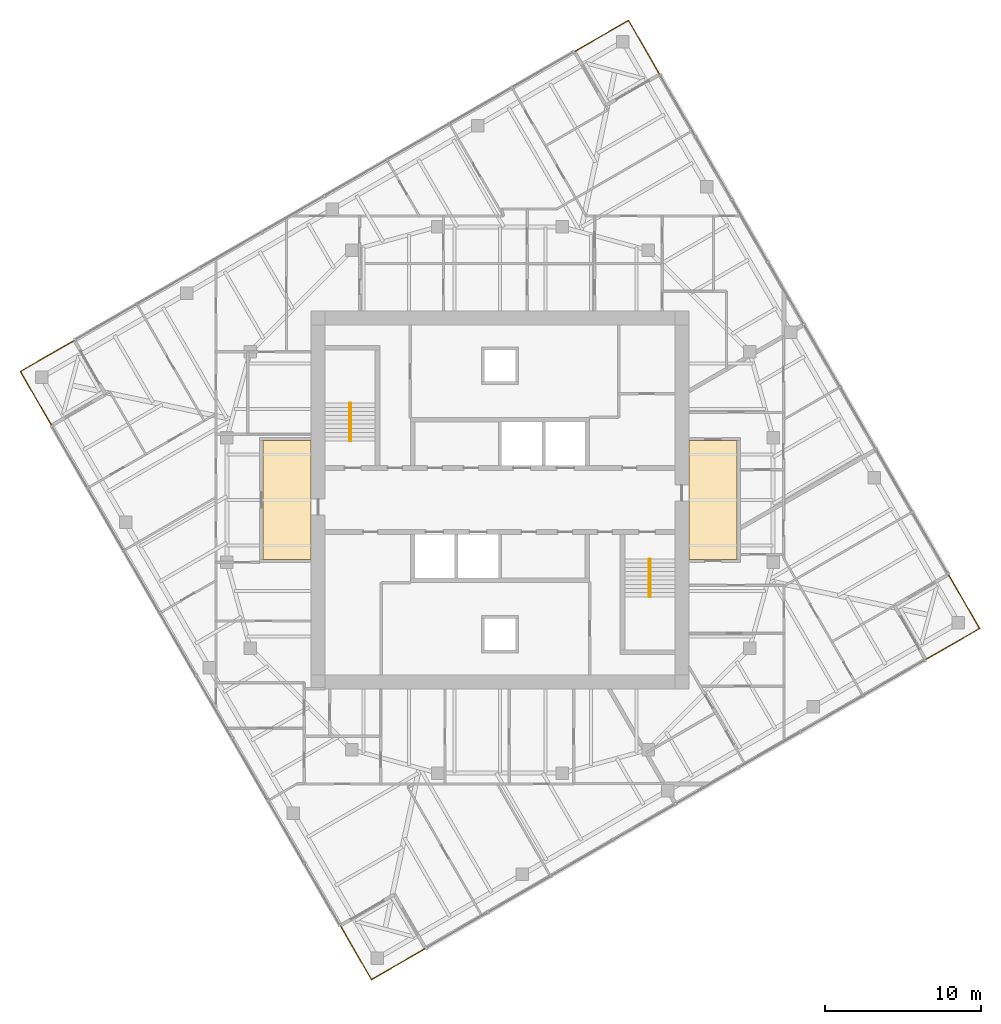
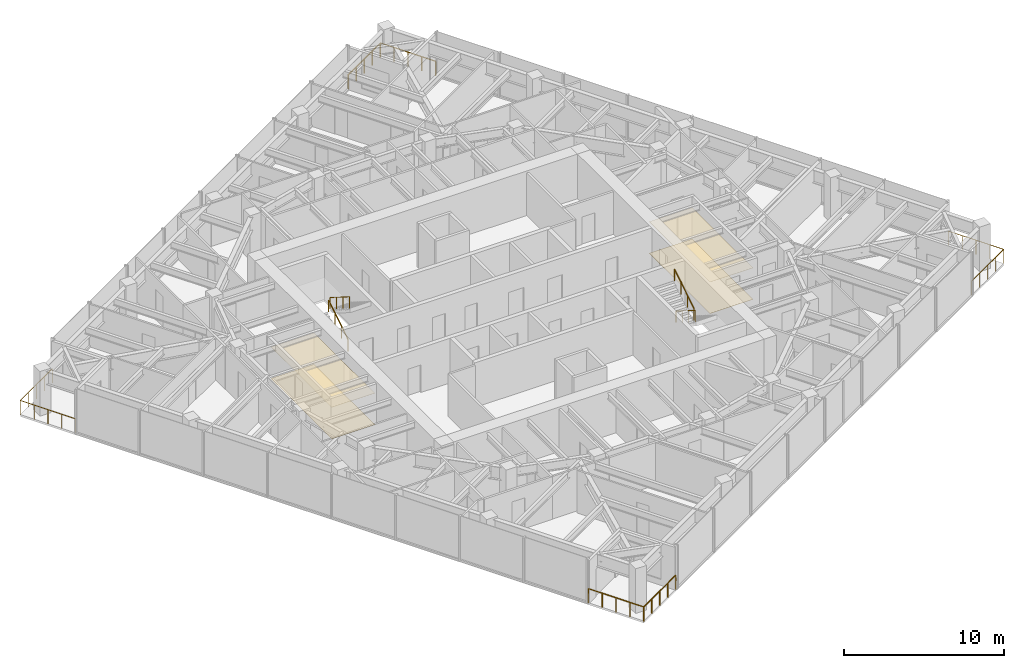
# One storey, part 13 of 13: 8 railings, 4 coverings, 2 elements without a shape of their own.
"""IFC4 building model written with IfcOpenShell, lengths in metres."""

from ifc_helpers import new_model, si_unit, direction, frame, origin, origin_2d, place, context, subcontext, project, spatial, polyline, circle, outline, extrude, material, layer, layer_set, type_object, element, aggregate, save


model = new_model("IFC4")

# Units and contexts
model_context = context("Model", 3, precision=1e-05, world=origin(), true_north=direction((0.0, 1.0)))
body_context = subcontext(model_context, "Body", "Model", "MODEL_VIEW")
ifc_project = project(units=[si_unit("LENGTHUNIT", "METRE"), si_unit("AREAUNIT", "SQUARE_METRE"), si_unit("VOLUMEUNIT", "CUBIC_METRE"), si_unit("PLANEANGLEUNIT", "RADIAN"), si_unit("MASSUNIT", "GRAM", prefix="KILO")], contexts=[model_context])

# Site, building, storey
site_placement = place(None, origin())
site = spatial("IfcSite", under=ifc_project, at=site_placement, CompositionType="ELEMENT")
building_placement = place(site_placement, origin())
building = spatial("IfcBuilding", under=site, at=building_placement, Name="Torsade Residences", CompositionType="ELEMENT")
storey_placement = place(building_placement, frame((0.0, 0.0, 228.60009765625)))
storey = spatial("IfcBuildingStorey", under=building, at=storey_placement, Name="L63", CompositionType="ELEMENT", Elevation=228.60009765625)

# Coverings
ifc_material_1 = material(Name="Nylon carpet tile on underlay", Category="textile")
ifc_layer_1 = layer(ifc_material_1, 0.010009765625)
ifc_layer_set_1 = layer_set([ifc_layer_1], Name="Nylon carpet tile on underlay")
covering_type_1 = type_object("IfcCoveringType", Name="CORRIDOR CARPET TILE 10", PredefinedType="FLOORING", material=ifc_layer_set_1)
covering_1_placement = place(storey_placement, origin())
element("IfcCovering", 1, at=covering_1_placement, inside=storey, type_object=covering_type_1, Name="Corridor carpet L63", PredefinedType="FLOORING", context=body_context, shape_type="SweptSolid", body=[
    extrude(outline(polyline([(55.199951171875, 26.199951171875), (55.199951171875, 33.800048828125), (52.10009765625, 33.800048828125), (52.10009765625, 26.199951171875), (55.199951171875, 26.199951171875)])), origin(), (0.0, 0.0, 1.0), 0.010009765625),
])
covering_2_placement = place(storey_placement, origin())
element("IfcCovering", 2, at=covering_2_placement, inside=storey, type_object=covering_type_1, Name="Corridor carpet west L63", PredefinedType="FLOORING", context=body_context, shape_type="SweptSolid", body=[
    extrude(outline(polyline([(27.89990234375, 26.199951171875), (27.89990234375, 33.800048828125), (24.800048828125, 33.800048828125), (24.800048828125, 26.199951171875), (27.89990234375, 26.199951171875)])), origin(), (0.0, 0.0, 1.0), 0.010009765625),
])
ifc_material_2 = material(Name="Plasterboard on suspended steel grid", Category="steel")
ifc_layer_2 = layer(ifc_material_2, 0.012939453125)
ifc_layer_set_2 = layer_set([ifc_layer_2], Name="Plasterboard on suspended steel grid")
covering_type_2 = type_object("IfcCoveringType", Name="CORRIDOR SUSPENDED CEILING 13", PredefinedType="CEILING", material=ifc_layer_set_2)
covering_3_placement = place(storey_placement, frame((0.0, 0.0, 2.39990234375)))
element("IfcCovering", 3, at=covering_3_placement, inside=storey, type_object=covering_type_2, Name="Corridor ceiling L63", PredefinedType="CEILING", context=body_context, shape_type="SweptSolid", body=[
    extrude(outline(polyline([(55.199951171875, 26.199951171875), (55.199951171875, 33.800048828125), (52.10009765625, 33.800048828125), (52.10009765625, 26.199951171875), (55.199951171875, 26.199951171875)])), origin(), (0.0, 0.0, 1.0), 0.012939453125),
])
covering_4_placement = place(storey_placement, frame((0.0, 0.0, 2.39990234375)))
element("IfcCovering", 4, at=covering_4_placement, inside=storey, type_object=covering_type_2, Name="Corridor ceiling west L63", PredefinedType="CEILING", context=body_context, shape_type="SweptSolid", body=[
    extrude(outline(polyline([(27.89990234375, 26.199951171875), (27.89990234375, 33.800048828125), (24.800048828125, 33.800048828125), (24.800048828125, 26.199951171875), (27.89990234375, 26.199951171875)])), origin(), (0.0, 0.0, 1.0), 0.012939453125),
])

# Stair, railings
ifc_material_3 = material(Name="Precast concrete 40 MPa", Category="concrete")
stair_type = type_object("IfcStairType", Name="HALF-TURN FIRE STAIR 1500x3400", PredefinedType="HALF_TURN_STAIR", material=ifc_material_3)
stair_1_placement = place(storey_placement, origin())
stair_1 = element("IfcStair", 5, at=stair_1_placement, inside=storey, type_object=stair_type, Name="Stair ST1 L63", PredefinedType="HALF_TURN_STAIR")
ifc_material_4 = material(Name="Steel handrail", Category="steel")
railing_type_1 = type_object("IfcRailingType", Name="STAIR HANDRAIL 900", PredefinedType="HANDRAIL", material=ifc_material_4)
railing_1_placement = place(storey_placement, frame((30.35009765625, 33.780029296875, 0.169921875)))
railing_1 = element("IfcRailing", 6, at=railing_1_placement, type_object=railing_type_1, Name="Handrail ST1 flight 1 L63", PredefinedType="HANDRAIL", context=body_context, shape_type="SweptSolid", body=[
    extrude(circle(Radius=0.02392578125, at=origin_2d()), frame((0.0, 0.0, 0.8759765625), z_axis=(0.0, 0.846221481393, 0.532831309544), x_axis=(-1.0, 0.0, 0.0)), (0.0, 0.0, 1.0), 2.87158203125),
    extrude(circle(Radius=0.02099609375, at=origin_2d()), origin(), (0.0, 0.0, 1.0), 0.851806640625),
    extrude(circle(Radius=0.02099609375, at=origin_2d()), frame((0.0, 0.81005859375, 0.510009765625)), (0.0, 0.0, 1.0), 0.851806640625),
    extrude(circle(Radius=0.02099609375, at=origin_2d()), frame((0.0, 1.619873046875, 1.02001953125)), (0.0, 0.0, 1.0), 0.851806640625),
    extrude(circle(Radius=0.02099609375, at=origin_2d()), frame((0.0, 2.429931640625, 1.530029296875)), (0.0, 0.0, 1.0), 0.851806640625),
])
railing_2_placement = place(storey_placement, frame((30.449951171875, 36.2099609375, 1.869873046875)))
railing_2 = element("IfcRailing", 7, at=railing_2_placement, type_object=railing_type_1, Name="Handrail ST1 flight 2 L63", PredefinedType="HANDRAIL", context=body_context, shape_type="SweptSolid", body=[
    extrude(circle(Radius=0.02392578125, at=origin_2d()), frame((0.0, 0.0, 0.8759765625), z_axis=(0.0, -0.846221481393, 0.532831309544), x_axis=(1.0, 0.0, 0.0)), (0.0, 0.0, 1.0), 2.87158203125),
    extrude(circle(Radius=0.02099609375, at=origin_2d()), origin(), (0.0, 0.0, 1.0), 0.851806640625),
    extrude(circle(Radius=0.02099609375, at=origin_2d()), frame((0.0, -0.81005859375, 0.510009765625)), (0.0, 0.0, 1.0), 0.851806640625),
    extrude(circle(Radius=0.02099609375, at=origin_2d()), frame((0.0, -1.619873046875, 1.02001953125)), (0.0, 0.0, 1.0), 0.851806640625),
    extrude(circle(Radius=0.02099609375, at=origin_2d()), frame((0.0, -2.429931640625, 1.530029296875)), (0.0, 0.0, 1.0), 0.851806640625),
])
aggregate(stair_1, [railing_1, railing_2])

stair_2_placement = place(storey_placement, origin())
stair_2 = element("IfcStair", 8, at=stair_2_placement, inside=storey, type_object=stair_type, Name="Stair ST2 L63", PredefinedType="HALF_TURN_STAIR")
railing_3_placement = place(storey_placement, frame((49.64990234375, 26.219970703125, 0.169921875)))
railing_3 = element("IfcRailing", 9, at=railing_3_placement, type_object=railing_type_1, Name="Handrail ST2 flight 1 L63", PredefinedType="HANDRAIL", context=body_context, shape_type="SweptSolid", body=[
    extrude(circle(Radius=0.02392578125, at=origin_2d()), frame((0.0, 0.0, 0.8759765625), z_axis=(0.0, -0.846221481393, 0.532831309544), x_axis=(1.0, 0.0, 0.0)), (0.0, 0.0, 1.0), 2.87158203125),
    extrude(circle(Radius=0.02099609375, at=origin_2d()), origin(), (0.0, 0.0, 1.0), 0.851806640625),
    extrude(circle(Radius=0.02099609375, at=origin_2d()), frame((0.0, -0.81005859375, 0.510009765625)), (0.0, 0.0, 1.0), 0.851806640625),
    extrude(circle(Radius=0.02099609375, at=origin_2d()), frame((0.0, -1.619873046875, 1.02001953125)), (0.0, 0.0, 1.0), 0.851806640625),
    extrude(circle(Radius=0.02099609375, at=origin_2d()), frame((0.0, -2.429931640625, 1.530029296875)), (0.0, 0.0, 1.0), 0.851806640625),
])
railing_4_placement = place(storey_placement, frame((49.550048828125, 23.7900390625, 1.869873046875)))
railing_4 = element("IfcRailing", 10, at=railing_4_placement, type_object=railing_type_1, Name="Handrail ST2 flight 2 L63", PredefinedType="HANDRAIL", context=body_context, shape_type="SweptSolid", body=[
    extrude(circle(Radius=0.02392578125, at=origin_2d()), frame((0.0, 0.0, 0.8759765625), z_axis=(0.0, 0.846221481393, 0.532831309544), x_axis=(-1.0, 0.0, 0.0)), (0.0, 0.0, 1.0), 2.87158203125),
    extrude(circle(Radius=0.02099609375, at=origin_2d()), origin(), (0.0, 0.0, 1.0), 0.851806640625),
    extrude(circle(Radius=0.02099609375, at=origin_2d()), frame((0.0, 0.81005859375, 0.510009765625)), (0.0, 0.0, 1.0), 0.851806640625),
    extrude(circle(Radius=0.02099609375, at=origin_2d()), frame((0.0, 1.619873046875, 1.02001953125)), (0.0, 0.0, 1.0), 0.851806640625),
    extrude(circle(Radius=0.02099609375, at=origin_2d()), frame((0.0, 2.429931640625, 1.530029296875)), (0.0, 0.0, 1.0), 0.851806640625),
])
aggregate(stair_2, [railing_3, railing_4])

# Railings
ifc_material_5 = material(Name="Laminated glass balustrade", Category="glass")
railing_type_2 = type_object("IfcRailingType", Name="TERRACE GLASS BALUSTRADE 1100", PredefinedType="BALUSTRADE", material=ifc_material_5)
railing_5_placement = place(storey_placement, frame((67.271484375, 19.764404296875, 0.0)))
element("IfcRailing", 11, at=railing_5_placement, inside=storey, type_object=railing_type_2, Name="Terrace balustrade SE L63", PredefinedType="BALUSTRADE", context=body_context, shape_type="SweptSolid", body=[
    extrude(circle(Radius=0.02392578125, at=origin_2d()), frame((0.0, 0.0, 1.076171875), z_axis=(0.866026010844, 0.49999894854, 0.0), x_axis=(-0.49999894854, 0.866026010844, 0.0)), (0.0, 0.0, 1.0), 4.0),
    extrude(circle(Radius=0.02392578125, at=origin_2d()), frame((3.464111328125, 2.0, 1.076171875), z_axis=(-0.49999894854, 0.866026010844, 0.0), x_axis=(-0.866026010844, -0.49999894854, 0.0)), (0.0, 0.0, 1.0), 4.0),
    extrude(circle(Radius=0.02099609375, at=origin_2d()), origin(), (0.0, 0.0, 1.0), 1.052001953125),
    extrude(circle(Radius=0.02099609375, at=origin_2d()), frame((0.865966796875, 0.5, 0.0)), (0.0, 0.0, 1.0), 1.052001953125),
    extrude(circle(Radius=0.02099609375, at=origin_2d()), frame((1.73193359375, 1.0, 0.0)), (0.0, 0.0, 1.0), 1.052001953125),
    extrude(circle(Radius=0.02099609375, at=origin_2d()), frame((2.59814453125, 1.5, 0.0)), (0.0, 0.0, 1.0), 1.052001953125),
    extrude(circle(Radius=0.02099609375, at=origin_2d()), frame((3.464111328125, 2.0, 0.0)), (0.0, 0.0, 1.0), 1.052001953125),
    extrude(circle(Radius=0.02099609375, at=origin_2d()), frame((2.964111328125, 2.865966796875, 0.0)), (0.0, 0.0, 1.0), 1.052001953125),
    extrude(circle(Radius=0.02099609375, at=origin_2d()), frame((2.464111328125, 3.73193359375, 0.0)), (0.0, 0.0, 1.0), 1.052001953125),
    extrude(circle(Radius=0.02099609375, at=origin_2d()), frame((1.964111328125, 4.59814453125, 0.0)), (0.0, 0.0, 1.0), 1.052001953125),
    extrude(circle(Radius=0.02099609375, at=origin_2d()), frame((1.464111328125, 5.464111328125, 0.0)), (0.0, 0.0, 1.0), 1.052001953125),
])
railing_6_placement = place(storey_placement, frame((50.235595703125, 57.271484375, 0.0)))
element("IfcRailing", 12, at=railing_6_placement, inside=storey, type_object=railing_type_2, Name="Terrace balustrade NE L63", PredefinedType="BALUSTRADE", context=body_context, shape_type="SweptSolid", body=[
    extrude(circle(Radius=0.02392578125, at=origin_2d()), frame((0.0, 0.0, 1.076171875), z_axis=(-0.49999894854, 0.866026010844, 0.0), x_axis=(-0.866026010844, -0.49999894854, 0.0)), (0.0, 0.0, 1.0), 4.0),
    extrude(circle(Radius=0.02392578125, at=origin_2d()), frame((-2.0, 3.464111328125, 1.076171875), z_axis=(-0.866026010844, -0.49999894854, 0.0), x_axis=(0.49999894854, -0.866026010844, 0.0)), (0.0, 0.0, 1.0), 4.0),
    extrude(circle(Radius=0.02099609375, at=origin_2d()), origin(), (0.0, 0.0, 1.0), 1.052001953125),
    extrude(circle(Radius=0.02099609375, at=origin_2d()), frame((-0.5, 0.865966796875, 0.0)), (0.0, 0.0, 1.0), 1.052001953125),
    extrude(circle(Radius=0.02099609375, at=origin_2d()), frame((-1.0, 1.73193359375, 0.0)), (0.0, 0.0, 1.0), 1.052001953125),
    extrude(circle(Radius=0.02099609375, at=origin_2d()), frame((-1.5, 2.59814453125, 0.0)), (0.0, 0.0, 1.0), 1.052001953125),
    extrude(circle(Radius=0.02099609375, at=origin_2d()), frame((-2.0, 3.464111328125, 0.0)), (0.0, 0.0, 1.0), 1.052001953125),
    extrude(circle(Radius=0.02099609375, at=origin_2d()), frame((-2.865966796875, 2.964111328125, 0.0)), (0.0, 0.0, 1.0), 1.052001953125),
    extrude(circle(Radius=0.02099609375, at=origin_2d()), frame((-3.73193359375, 2.464111328125, 0.0)), (0.0, 0.0, 1.0), 1.052001953125),
    extrude(circle(Radius=0.02099609375, at=origin_2d()), frame((-4.59814453125, 1.964111328125, 0.0)), (0.0, 0.0, 1.0), 1.052001953125),
    extrude(circle(Radius=0.02099609375, at=origin_2d()), frame((-5.464111328125, 1.464111328125, 0.0)), (0.0, 0.0, 1.0), 1.052001953125),
])
railing_7_placement = place(storey_placement, frame((12.728515625, 40.235595703125, 0.0)))
element("IfcRailing", 13, at=railing_7_placement, inside=storey, type_object=railing_type_2, Name="Terrace balustrade NW L63", PredefinedType="BALUSTRADE", context=body_context, shape_type="SweptSolid", body=[
    extrude(circle(Radius=0.02392578125, at=origin_2d()), frame((0.0, 0.0, 1.076171875), z_axis=(-0.866026010844, -0.49999894854, 0.0), x_axis=(0.49999894854, -0.866026010844, 0.0)), (0.0, 0.0, 1.0), 4.0),
    extrude(circle(Radius=0.02392578125, at=origin_2d()), frame((-3.464111328125, -2.0, 1.076171875), z_axis=(0.49999894854, -0.866026010844, 0.0), x_axis=(0.866026010844, 0.49999894854, 0.0)), (0.0, 0.0, 1.0), 4.0),
    extrude(circle(Radius=0.02099609375, at=origin_2d()), origin(), (0.0, 0.0, 1.0), 1.052001953125),
    extrude(circle(Radius=0.02099609375, at=origin_2d()), frame((-0.865966796875, -0.5, 0.0)), (0.0, 0.0, 1.0), 1.052001953125),
    extrude(circle(Radius=0.02099609375, at=origin_2d()), frame((-1.73193359375, -1.0, 0.0)), (0.0, 0.0, 1.0), 1.052001953125),
    extrude(circle(Radius=0.02099609375, at=origin_2d()), frame((-2.59814453125, -1.5, 0.0)), (0.0, 0.0, 1.0), 1.052001953125),
    extrude(circle(Radius=0.02099609375, at=origin_2d()), frame((-3.464111328125, -2.0, 0.0)), (0.0, 0.0, 1.0), 1.052001953125),
    extrude(circle(Radius=0.02099609375, at=origin_2d()), frame((-2.964111328125, -2.865966796875, 0.0)), (0.0, 0.0, 1.0), 1.052001953125),
    extrude(circle(Radius=0.02099609375, at=origin_2d()), frame((-2.464111328125, -3.73193359375, 0.0)), (0.0, 0.0, 1.0), 1.052001953125),
    extrude(circle(Radius=0.02099609375, at=origin_2d()), frame((-1.964111328125, -4.59814453125, 0.0)), (0.0, 0.0, 1.0), 1.052001953125),
    extrude(circle(Radius=0.02099609375, at=origin_2d()), frame((-1.464111328125, -5.464111328125, 0.0)), (0.0, 0.0, 1.0), 1.052001953125),
])
railing_8_placement = place(storey_placement, frame((29.764404296875, 2.728515625, 0.0)))
element("IfcRailing", 14, at=railing_8_placement, inside=storey, type_object=railing_type_2, Name="Terrace balustrade SW L63", PredefinedType="BALUSTRADE", context=body_context, shape_type="SweptSolid", body=[
    extrude(circle(Radius=0.02392578125, at=origin_2d()), frame((0.0, 0.0, 1.076171875), z_axis=(0.49999894854, -0.866026010844, 0.0), x_axis=(0.866026010844, 0.49999894854, 0.0)), (0.0, 0.0, 1.0), 4.0),
    extrude(circle(Radius=0.02392578125, at=origin_2d()), frame((2.0, -3.464111328125, 1.076171875), z_axis=(0.866026010844, 0.49999894854, 0.0), x_axis=(-0.49999894854, 0.866026010844, 0.0)), (0.0, 0.0, 1.0), 4.0),
    extrude(circle(Radius=0.02099609375, at=origin_2d()), origin(), (0.0, 0.0, 1.0), 1.052001953125),
    extrude(circle(Radius=0.02099609375, at=origin_2d()), frame((0.5, -0.865966796875, 0.0)), (0.0, 0.0, 1.0), 1.052001953125),
    extrude(circle(Radius=0.02099609375, at=origin_2d()), frame((1.0, -1.73193359375, 0.0)), (0.0, 0.0, 1.0), 1.052001953125),
    extrude(circle(Radius=0.02099609375, at=origin_2d()), frame((1.5, -2.59814453125, 0.0)), (0.0, 0.0, 1.0), 1.052001953125),
    extrude(circle(Radius=0.02099609375, at=origin_2d()), frame((2.0, -3.464111328125, 0.0)), (0.0, 0.0, 1.0), 1.052001953125),
    extrude(circle(Radius=0.02099609375, at=origin_2d()), frame((2.865966796875, -2.964111328125, 0.0)), (0.0, 0.0, 1.0), 1.052001953125),
    extrude(circle(Radius=0.02099609375, at=origin_2d()), frame((3.73193359375, -2.464111328125, 0.0)), (0.0, 0.0, 1.0), 1.052001953125),
    extrude(circle(Radius=0.02099609375, at=origin_2d()), frame((4.59814453125, -1.964111328125, 0.0)), (0.0, 0.0, 1.0), 1.052001953125),
    extrude(circle(Radius=0.02099609375, at=origin_2d()), frame((5.464111328125, -1.464111328125, 0.0)), (0.0, 0.0, 1.0), 1.052001953125),
])

save(model, "model.ifc")
